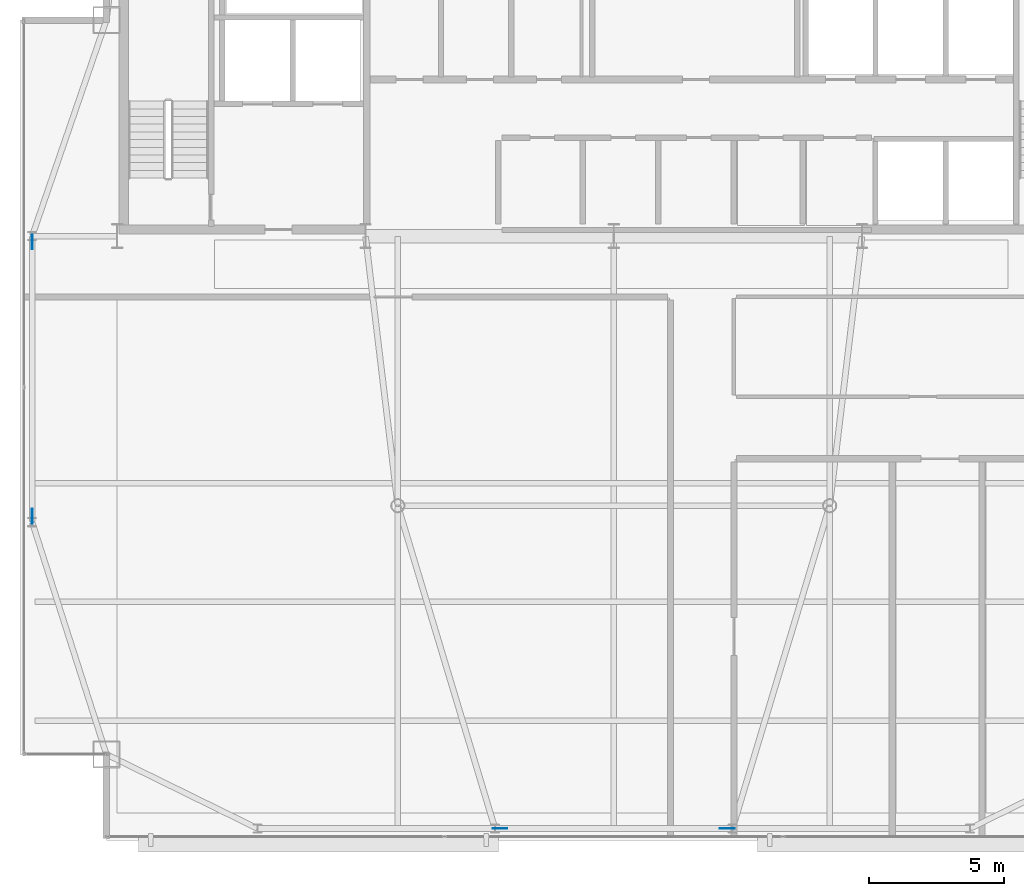
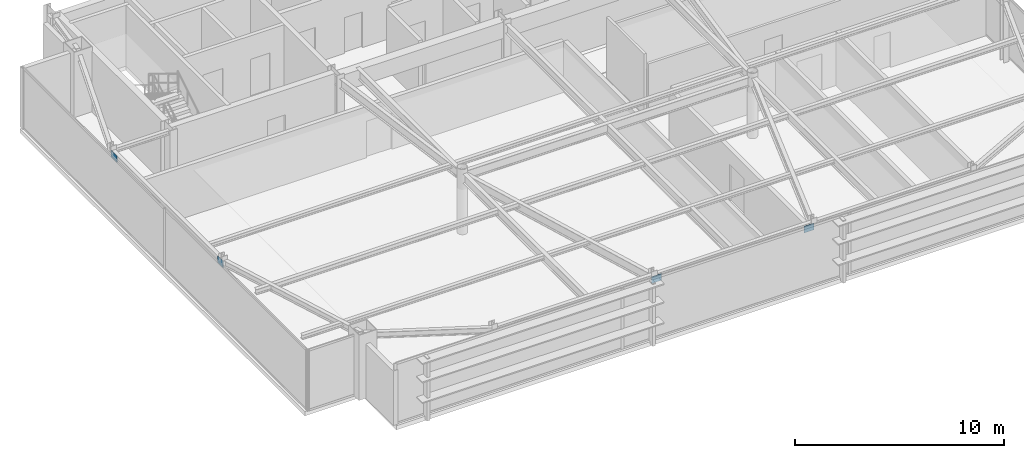
# One storey, part 19 of 24: 4 plates.
"""IFC4 building model written with IfcOpenShell, lengths in metres."""

from ifc_helpers import new_model, si_unit, direction, frame, origin, origin_2d, place, context, subcontext, project, spatial, rectangle, extrude, source, transform, mapped, material, layer, layer_set, type_object, type_shapes, element, save


model = new_model("IFC4")

# Units and contexts
model_context = context("Model", 3, precision=1e-05, world=origin(), true_north=direction((0.0, 1.0)))
body_context = subcontext(model_context, "Body", "Model", "MODEL_VIEW")
ifc_project = project(units=[si_unit("LENGTHUNIT", "METRE"), si_unit("AREAUNIT", "SQUARE_METRE"), si_unit("VOLUMEUNIT", "CUBIC_METRE"), si_unit("PLANEANGLEUNIT", "RADIAN"), si_unit("MASSUNIT", "GRAM", prefix="KILO")], contexts=[model_context])

# Site, building, storey
site_placement = place(None, origin())
site = spatial("IfcSite", under=ifc_project, at=site_placement, CompositionType="ELEMENT")
building_placement = place(site_placement, origin())
building = spatial("IfcBuilding", under=site, at=building_placement, Name="Varnel Quay Broadcast Tower", CompositionType="ELEMENT")
storey_placement = place(building_placement, frame((0.0, 0.0, 285.0)))
storey = spatial("IfcBuildingStorey", under=building, at=storey_placement, Name="L71", CompositionType="ELEMENT", Elevation=285.0)

# Plates
ifc_material = material(Name="Structural Steel CSA G40.21 350WT", Category="steel")
ifc_layer = layer(ifc_material, 0.031982421875, Name="Structural Steel CSA G40.21 350WT")
ifc_layer_set = layer_set([ifc_layer], Name="Structural Steel CSA G40.21 350WT")
plate_type = type_object("IfcPlateType", Name="Plate_EndCap", PredefinedType="USERDEFINED", material=ifc_layer_set)
shared_shape = source(origin(), body_context, "Body", "SweptSolid", [
    extrude(rectangle(XDim=0.5400390625, YDim=0.031982421875, at=origin_2d()), origin(), (0.0, 0.0, 1.0), 0.3798828125),
])
type_shapes(plate_type, [shared_shape])
for number, where, z_axis, x_axis, name in (
    (1, (38.206787109375, 13.64990234375, 3.0126953125), (0.0, 0.0, 1.0), (1.0, 0.0, 0.0), "Zone 5 Mega-Brace S-C1T2 Diag A End Connection Plate P1"),
    (2, (29.793212890625, 13.64990234375, 3.0126953125), (0.0, 0.0, 1.0), (1.0, 0.0, 0.0), "Zone 5 Mega-Brace S-C1T2 Diag B2 End Connection Plate P1"),
    (3, (12.449951171875, 35.3798828125, 3.0302734375), (0.0, 0.0, 1.0), (0.0, 1.0, 0.0), "Zone 5 Mega-Brace W-FT2 Diag A End Connection Plate P1"),
    (4, (12.449951171875, 25.22021484375, 3.0302734375), (0.0, 0.0, 1.0), (0.0, 1.0, 0.0), "Zone 5 Mega-Brace W-FT2 Diag B2 End Connection Plate P1"),
):
    element("IfcPlate", number, at=place(storey_placement, frame(where, z_axis=z_axis, x_axis=x_axis)), inside=storey, type_object=plate_type, Name=name, ObjectType="CAP_PLATE", PredefinedType="USERDEFINED", context=body_context, shape_type="MappedRepresentation", body=[
        mapped(shared_shape, transform((0.0, 0.0, 0.0), x_axis=(1.0, 0.0, 0.0), y_axis=(0.0, 1.0, 0.0), z_axis=(0.0, 0.0, 1.0), scale=1.0)),
    ])

save(model, "model.ifc")
